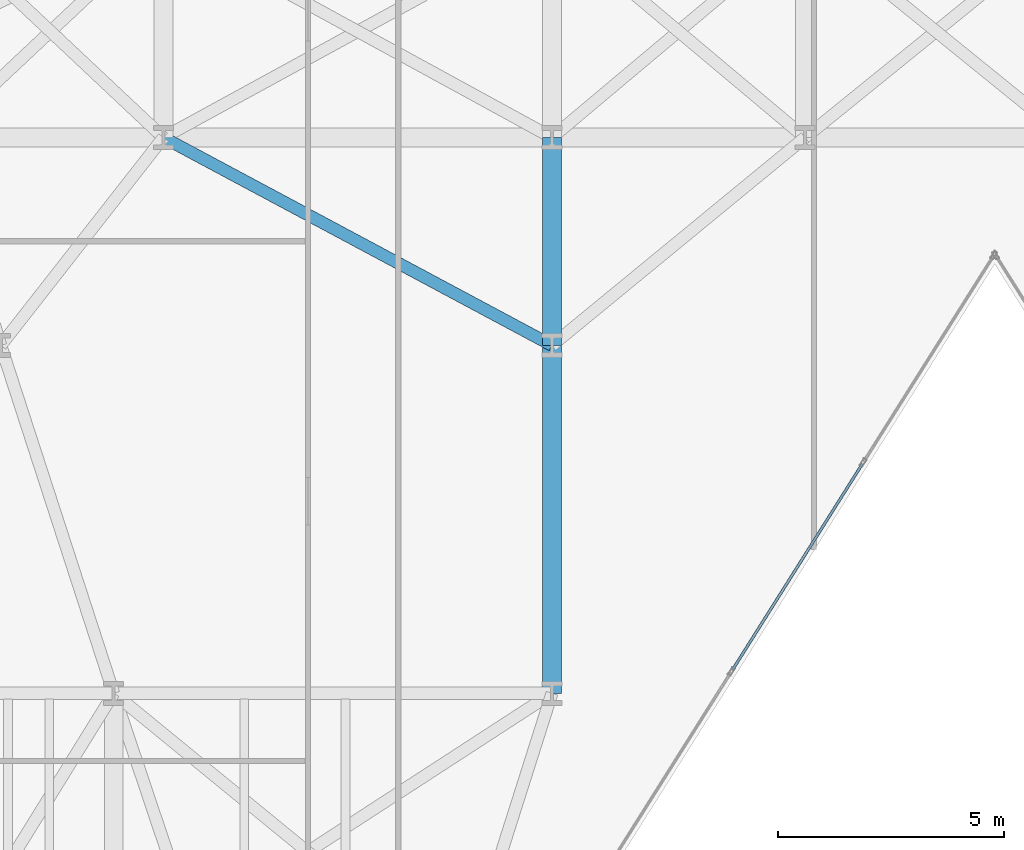
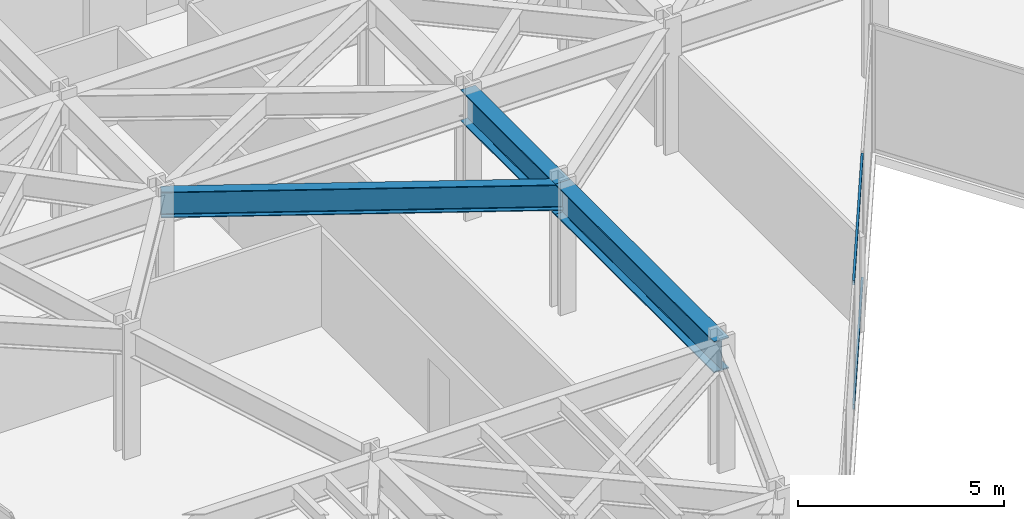
# One storey, part 9 of 25: 3 beams, 2 members, 1 element without a shape of its own.
"""IFC4 building model written with IfcOpenShell, lengths in metres."""

from ifc_helpers import new_model, si_unit, direction, frame, origin, origin_2d, place, context, subcontext, project, spatial, hollow_rectangle, i_section, extrude, material, layer, layer_set, material_profile, profile_set, type_object, element, aggregate, save


model = new_model("IFC4")

# Units and contexts
model_context = context("Model", 3, precision=1e-05, world=origin(), true_north=direction((0.0, 1.0)))
body_context = subcontext(model_context, "Body", "Model", "MODEL_VIEW")
ifc_project = project(units=[si_unit("LENGTHUNIT", "METRE"), si_unit("AREAUNIT", "SQUARE_METRE"), si_unit("VOLUMEUNIT", "CUBIC_METRE"), si_unit("PLANEANGLEUNIT", "RADIAN"), si_unit("MASSUNIT", "GRAM", prefix="KILO")], contexts=[model_context])

# Site, building, storey
site_placement = place(None, origin())
site = spatial("IfcSite", under=ifc_project, at=site_placement, CompositionType="ELEMENT")
building_placement = place(site_placement, origin())
building = spatial("IfcBuilding", under=site, at=building_placement, Name="Kravanh Interchange Tower", CompositionType="ELEMENT")
storey_placement = place(building_placement, frame((0.0, 0.0, 41.5)))
storey = spatial("IfcBuildingStorey", under=building, at=storey_placement, Name="L09", CompositionType="ELEMENT", Elevation=41.5)

# Curtain wall, members
ifc_material_1 = material(Name="Anodised Bronze Aluminium", Category="aluminium")
ifc_layer = layer(ifc_material_1, 0.179931640625)
ifc_layer_set = layer_set([ifc_layer], Name="Unitised Curtain Wall System CW-Z1 Lower Office")
curtain_wall_type = type_object("IfcCurtainWallType", Name="Unitised Curtain Wall System CW-Z1 Lower Office", PredefinedType="NOTDEFINED", material=ifc_layer_set)
curtain_wall_placement = place(storey_placement, origin())
curtain_wall = element("IfcCurtainWall", 1, at=curtain_wall_placement, inside=storey, type_object=curtain_wall_type, Name="L09 Unitised Curtain Wall CW-L09-05", PredefinedType="NOTDEFINED")
ifc_material_2 = material(Name="Anodised Bronze Aluminium", Category="aluminium")
ifc_material_profile_1 = material_profile(ifc_material_2, hollow_rectangle(XDim=0.06005859375, YDim=0.139892578125, WallThickness=0.00390625, at=origin_2d()), Name="ALU60X140X4")
ifc_profile_set_1 = profile_set([ifc_material_profile_1], Name="Anodised Bronze Aluminium")
member_type = type_object("IfcMemberType", Name="Curtain Wall Transom ALU60X140X4 Bronze", PredefinedType="USERDEFINED", material=ifc_profile_set_1)
member_1_placement = place(storey_placement, frame((34.068115234375, 19.574462890625, 0.030029296875), z_axis=(-0.533311487456, -0.84591894254, 0.0), x_axis=(0.84591894254, -0.533311487456, 0.0)))
member_1 = element("IfcMember", 2, at=member_1_placement, type_object=member_type, Name="CW-Z1 transom 2.1", ObjectType="TRANSOM", PredefinedType="USERDEFINED", context=body_context, shape_type="SweptSolid", body=[
    extrude(hollow_rectangle(XDim=0.06005859375, YDim=0.139892578125, WallThickness=0.00390625, at=origin_2d()), origin(), (0.0, 0.0, 1.0), 5.392578125),
])
member_2_placement = place(storey_placement, frame((34.068115234375, 19.574462890625, 3.7099609375), z_axis=(-0.533311487456, -0.84591894254, 0.0), x_axis=(0.84591894254, -0.533311487456, 0.0)))
member_2 = element("IfcMember", 3, at=member_2_placement, type_object=member_type, Name="CW-Z1 transom 2.2", ObjectType="TRANSOM", PredefinedType="USERDEFINED", context=body_context, shape_type="SweptSolid", body=[
    extrude(hollow_rectangle(XDim=0.06005859375, YDim=0.139892578125, WallThickness=0.00390625, at=origin_2d()), origin(), (0.0, 0.0, 1.0), 5.392578125),
])
aggregate(curtain_wall, [member_1, member_2])

# Beams
ifc_material_3 = material(Name="Structural Steel S355", Category="steel")
ifc_material_profile_2 = material_profile(ifc_material_3, i_section(OverallWidth=0.41796875, OverallDepth=0.927001953125, WebThickness=0.019287109375, FlangeThickness=0.031982421875, FilletRadius=0.028076171875, at=origin_2d()), Name="W36X231")
ifc_profile_set_2 = profile_set([ifc_material_profile_2], Name="Structural Steel S355")
beam_type_1 = type_object("IfcBeamType", Name="Floor Beam W36X231 Structural Steel S355", PredefinedType="BEAM", material=ifc_profile_set_2)
beam_1_placement = place(storey_placement, frame((27.199951171875, 22.199951171875, 3.276611328125), z_axis=(0.0, 1.0, 0.0), x_axis=(-1.0, 0.0, 0.0)))
element("IfcBeam", 4, at=beam_1_placement, inside=storey, type_object=beam_type_1, Name="L09 Primary Floor Girder 54", PredefinedType="BEAM", context=body_context, shape_type="SweptSolid", body=[
    extrude(i_section(OverallWidth=0.41796875, OverallDepth=0.927001953125, WebThickness=0.019287109375, FlangeThickness=0.031982421875, FilletRadius=0.028076171875, at=origin_2d()), origin(), (0.0, 0.0, 1.0), 4.60009765625),
])
beam_2_placement = place(storey_placement, frame((27.199951171875, 22.199951171875, 3.276611328125), z_axis=(0.0, -1.0, 0.0), x_axis=(1.0, 0.0, 0.0)))
element("IfcBeam", 5, at=beam_2_placement, inside=storey, type_object=beam_type_1, Name="L09 Primary Floor Girder 56", PredefinedType="BEAM", context=body_context, shape_type="SweptSolid", body=[
    extrude(i_section(OverallWidth=0.41796875, OverallDepth=0.927001953125, WebThickness=0.019287109375, FlangeThickness=0.031982421875, FilletRadius=0.028076171875, at=origin_2d()), origin(), (0.0, 0.0, 1.0), 7.699951171875),
])
ifc_material_4 = material(Name="Structural Steel S355", Category="steel")
ifc_material_profile_3 = material_profile(ifc_material_4, i_section(OverallWidth=0.26708984375, OverallDepth=0.761962890625, WebThickness=0.014404296875, FlangeThickness=0.021484375, FilletRadius=0.02490234375, at=origin_2d()), Name="W30X116")
ifc_profile_set_3 = profile_set([ifc_material_profile_3], Name="Structural Steel S355")
beam_type_2 = type_object("IfcBeamType", Name="Floor Spandrel W30X116 Structural Steel S355", PredefinedType="SPANDREL", material=ifc_profile_set_3)
beam_3_placement = place(storey_placement, frame((27.199951171875, 22.199951171875, 3.35888671875), z_axis=(-0.881777136221, 0.471666282489, 0.0), x_axis=(-0.471666282489, -0.881777136221, 0.0)))
element("IfcBeam", 6, at=beam_3_placement, inside=storey, type_object=beam_type_2, Name="L09 Perimeter Spandrel 57", PredefinedType="SPANDREL", context=body_context, shape_type="SweptSolid", body=[
    extrude(i_section(OverallWidth=0.26708984375, OverallDepth=0.761962890625, WebThickness=0.014404296875, FlangeThickness=0.021484375, FilletRadius=0.02490234375, at=origin_2d()), origin(), (0.0, 0.0, 1.0), 9.7529296875),
])

save(model, "model.ifc")
